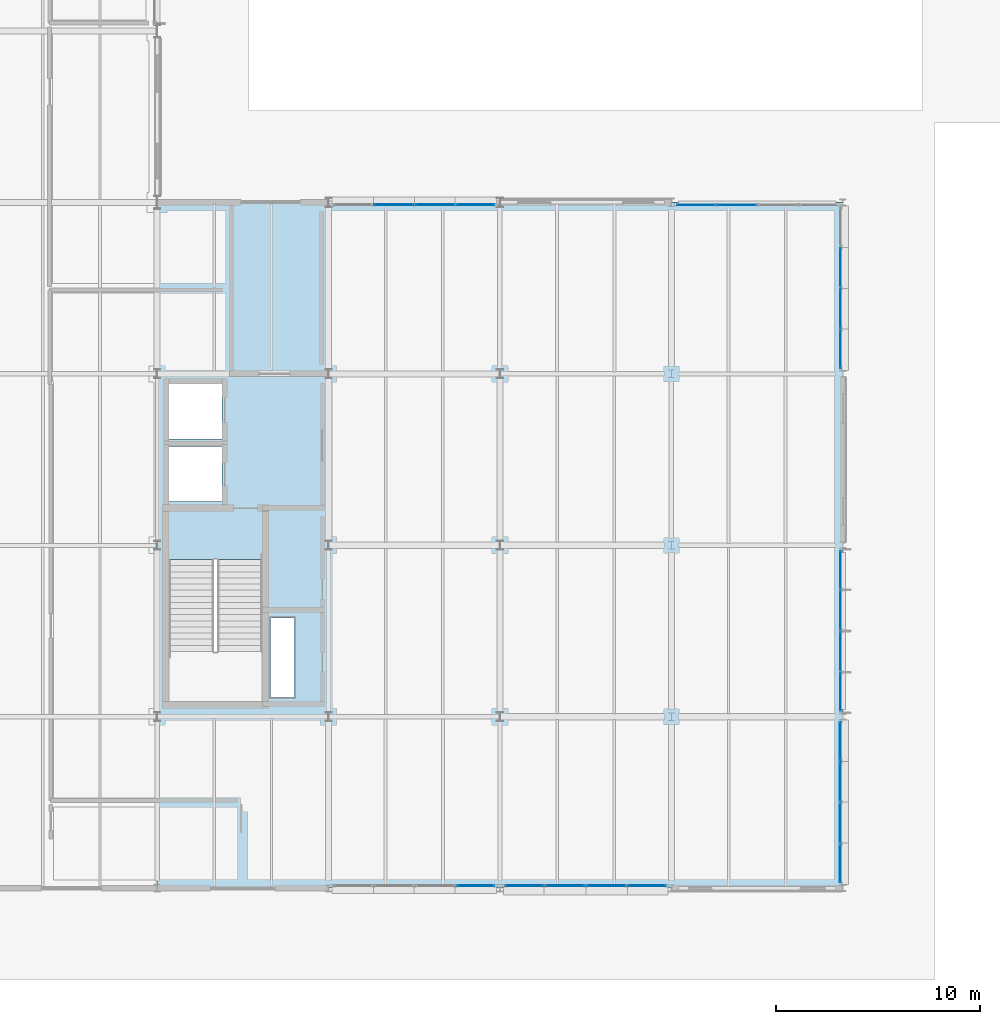
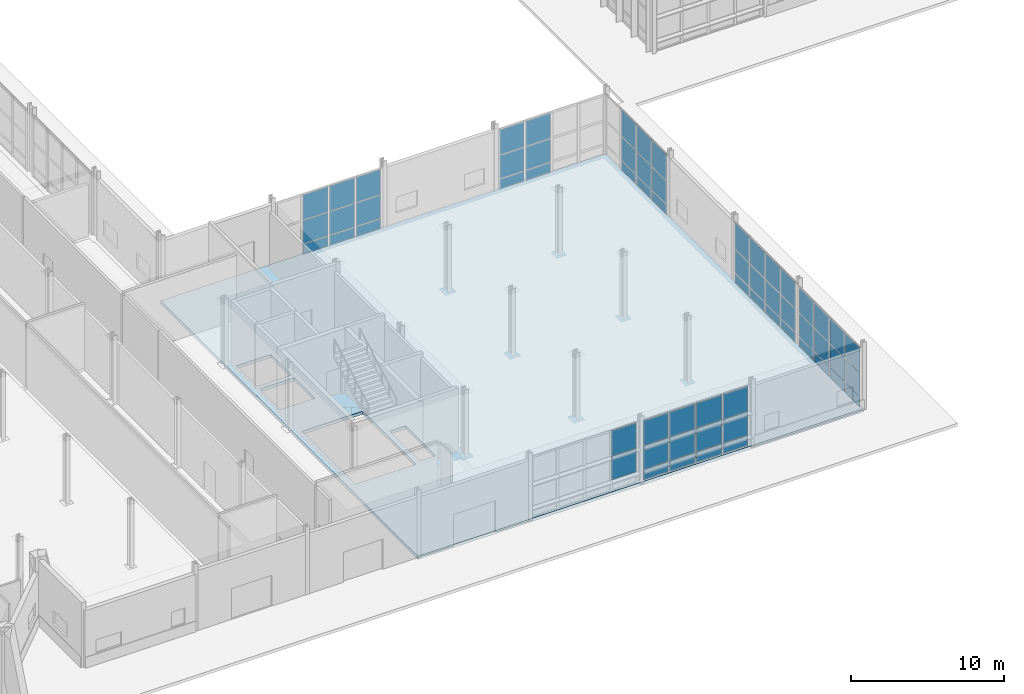
# One storey, part 76 of 124: 62 plates, 1 slab, 7 elements without a shape of their own.
"""IFC4 building model written with IfcOpenShell, lengths in metres."""

import ifcopenshell
import ifcopenshell.guid

model = None  # the IFC model being written
_history = None  # IfcOwnerHistory: only IFC2X3 demands one
_inside = {}  # id of a spatial element -> (the spatial element, [elements in it])
_under = {}  # id of a project, library or spatial element -> (it, [spatial elements below it])
_declared = {}  # id of a project -> (the project, [libraries it declares])
_typed = {}  # id of a type object -> (the type object, [elements of that type])
_made_of = {}  # id of a material, layer set ... -> (it, [elements and type objects made of it])


def new_model(schema):
    """Start an empty IFC model of exactly this schema.

    Asked for "IFC4X3", IfcOpenShell would pick the latest addendum, in which some entities
    have other attributes; the version numbers below select the first issue.
    IFC2X3 requires an IfcOwnerHistory on every rooted entity: one is made here for all.
    """
    global model, _history
    if schema == "IFC4X3":
        model = ifcopenshell.file(schema_version=(4, 3, 0, 0))
    else:
        model = ifcopenshell.file(schema=schema)
    _inside.clear()
    _under.clear()
    _declared.clear()
    _typed.clear()
    _made_of.clear()
    _history = None
    if model.schema == "IFC2X3":
        org = make("IfcOrganization", Name="unknown")
        user = make(
            "IfcPersonAndOrganization",
            ThePerson=make("IfcPerson", FamilyName="unknown"),
            TheOrganization=org,
        )
        app = make(
            "IfcApplication",
            ApplicationDeveloper=org,
            Version="unknown",
            ApplicationFullName="unknown",
            ApplicationIdentifier="unknown",
        )
        _history = make(
            "IfcOwnerHistory",
            OwningUser=user,
            OwningApplication=app,
            ChangeAction="ADDED",
            CreationDate=0,
        )
    return model


def make(cls, **values):
    """One entity of the class cls with the attributes given. An attribute that is None is left unset."""
    return model.create_entity(
        cls, **{name: value for name, value in values.items() if value is not None}
    )


def rooted(cls, **values):
    """An entity with a GlobalId (a new one), such as an element, a storey or a relation."""
    return make(cls, GlobalId=ifcopenshell.guid.new(), OwnerHistory=_history, **values)


def si_unit(unit_type, name, prefix=None):
    """IfcSIUnit, for example si_unit("LENGTHUNIT", "METRE", prefix="MILLI")."""
    return make("IfcSIUnit", UnitType=unit_type, Prefix=prefix, Name=name)


def assignment(units):
    """IfcUnitAssignment: the units of a project."""
    return None if units is None else make("IfcUnitAssignment", Units=units)


def point(xyz):
    """IfcCartesianPoint."""
    return None if xyz is None else make("IfcCartesianPoint", Coordinates=xyz)


def direction(xyz):
    """IfcDirection."""
    return None if xyz is None else make("IfcDirection", DirectionRatios=xyz)


def frame(location, z_axis=None, x_axis=None):
    """IfcAxis2Placement3D, a coordinate frame: its origin and axes. An axis left out is left unset."""
    return make(
        "IfcAxis2Placement3D",
        Location=point(location),
        Axis=direction(z_axis),
        RefDirection=direction(x_axis),
    )


def frame_2d(location, x_axis=None):
    """IfcAxis2Placement2D, a coordinate frame in the plane: its origin and x axis."""
    return make(
        "IfcAxis2Placement2D", Location=point(location), RefDirection=direction(x_axis)
    )


def origin():
    """The frame at (0, 0, 0) with its axes left unset."""
    return frame((0.0, 0.0, 0.0))


def origin_2d():
    """The frame at (0, 0) in the plane with its x axis left unset."""
    return frame_2d((0.0, 0.0))


def place(relative_to, where):
    """IfcLocalPlacement: puts the frame where relative to a parent placement (None: the world)."""
    return make(
        "IfcLocalPlacement", PlacementRelTo=relative_to, RelativePlacement=where
    )


def context(
    kind, dimensions, precision=None, world=None, true_north=None, identifier=None
):
    """IfcGeometricRepresentationContext, for example the 3D "Model" context."""
    return make(
        "IfcGeometricRepresentationContext",
        ContextIdentifier=identifier,
        ContextType=kind,
        CoordinateSpaceDimension=dimensions,
        Precision=precision,
        WorldCoordinateSystem=world,
        TrueNorth=true_north,
    )


def subcontext(parent, identifier, kind, view, scale=None):
    """IfcGeometricRepresentationSubContext, for example "Body" below "Model"."""
    return make(
        "IfcGeometricRepresentationSubContext",
        ContextIdentifier=identifier,
        ContextType=kind,
        ParentContext=parent,
        TargetScale=scale,
        TargetView=view,
    )


def project(units=None, contexts=None):
    """IfcProject with its units and contexts."""
    return rooted(
        "IfcProject",
        Name="project",
        RepresentationContexts=contexts,
        UnitsInContext=assignment(units),
    )


def spatial(cls, under=None, at=None, **own):
    """A site, building, storey or space (cls), placed at a placement, below another one or the project."""
    s = rooted(cls, ObjectPlacement=at, **own)
    if under is not None:
        _under.setdefault(under.id(), (under, []))[1].append(s)
    return s


def polyline(points):
    """IfcPolyline through the points."""
    return make("IfcPolyline", Points=[point(p) for p in points])


def profile(cls, at=None, kind="AREA", **sizes):
    """A parametric profile (cls). Its sizes go by their IFC names, for example OverallWidth=200.0."""
    return make(cls, ProfileType=kind, Position=at, **sizes)


def rectangle(**sizes):
    """IfcRectangleProfileDef."""
    return profile("IfcRectangleProfileDef", **sizes)


def outline(outer, holes=None, kind="AREA"):
    """IfcArbitraryClosedProfileDef: a profile drawn as a closed curve; with holes, ...WithVoids."""
    if holes is None:
        return make("IfcArbitraryClosedProfileDef", ProfileType=kind, OuterCurve=outer)
    return make(
        "IfcArbitraryProfileDefWithVoids",
        ProfileType=kind,
        OuterCurve=outer,
        InnerCurves=holes,
    )


def extrude(swept, where, along, depth):
    """IfcExtrudedAreaSolid: the profile swept, set in the frame where, extruded along a direction by depth."""
    return make(
        "IfcExtrudedAreaSolid",
        SweptArea=swept,
        Position=where,
        ExtrudedDirection=direction(along),
        Depth=depth,
    )


def shape(context_of_items, identifier, shape_type, items):
    """IfcShapeRepresentation: the items that make up one representation, for example the "Body"."""
    return make(
        "IfcShapeRepresentation",
        ContextOfItems=context_of_items,
        RepresentationIdentifier=identifier,
        RepresentationType=shape_type,
        Items=items,
    )


def material(Name=None, Category=None):
    """IfcMaterial."""
    return make("IfcMaterial", Name=Name, Category=Category)


def layer(
    of_material, thickness, ventilated=None, Name=None, Category=None, Priority=None
):
    """IfcMaterialLayer: one layer of a wall or slab, of a material (None: an air gap)."""
    return make(
        "IfcMaterialLayer",
        Material=of_material,
        LayerThickness=thickness,
        IsVentilated=ventilated,
        Name=Name,
        Category=Category,
        Priority=Priority,
    )


def layer_set(layers, Name=None):
    """IfcMaterialLayerSet."""
    return make("IfcMaterialLayerSet", MaterialLayers=layers, LayerSetName=Name)


def made_of(thing, what):
    """Note that an element or type object is made of a material, layer set ...; save() writes the relation."""
    if what is not None:
        _made_of.setdefault(what.id(), (what, []))[1].append(thing)
    return thing


def type_object(cls, material=None, **own):
    """A type object (cls), such as IfcWallType, which elements share."""
    return made_of(rooted(cls, **own), material)


def element(
    cls,
    number,
    at=None,
    inside=None,
    cuts=None,
    type_object=None,
    material=None,
    context=None,
    identifier="Body",
    shape_type=None,
    held_by="IfcProductDefinitionShape",
    body=None,
    shapes=None,
    **own,
):
    """One element of the class cls, such as IfcWall. Its Tag is "e" and its number.

    at: its placement. inside: the storey or other place that contains it. cuts: it is an
    opening in that element (IfcRelVoidsElement). A single representation is given by context,
    identifier, shape_type and body (its items); several are given by shapes. held_by: the class
    of the entity that holds the representations. save() writes the other relations.
    """
    e = rooted(cls, Tag="e%d" % number, ObjectPlacement=at, **own)
    if body is not None:
        shapes = [shape(context, identifier, shape_type, body)]
    if shapes is not None:
        e.Representation = make(held_by, Representations=shapes)
    if inside is not None:
        _inside.setdefault(inside.id(), (inside, []))[1].append(e)
    if cuts is not None:
        rooted(
            "IfcRelVoidsElement", RelatingBuildingElement=cuts, RelatedOpeningElement=e
        )
    if type_object is not None:
        _typed.setdefault(type_object.id(), (type_object, []))[1].append(e)
    return made_of(e, material)


def aggregate(whole, parts):
    """IfcRelAggregates: a whole, such as a stair, and the parts it consists of."""
    return rooted("IfcRelAggregates", RelatingObject=whole, RelatedObjects=parts)


def save(model, path):
    """Write the relations noted so far, then the file.

    IfcRelAggregates (storeys below a building ...), IfcRelContainedInSpatialStructure (elements
    in a storey), IfcRelDefinesByType, IfcRelAssociatesMaterial and IfcRelDeclares: one each for
    every whole, place, type object, material and project.
    """
    for whole, parts in _under.values():
        aggregate(whole, parts)
    for where, things in _inside.values():
        rooted(
            "IfcRelContainedInSpatialStructure",
            RelatedElements=things,
            RelatingStructure=where,
        )
    for kind, things in _typed.values():
        rooted("IfcRelDefinesByType", RelatedObjects=things, RelatingType=kind)
    for what, things in _made_of.values():
        rooted("IfcRelAssociatesMaterial", RelatedObjects=things, RelatingMaterial=what)
    for by, libraries in _declared.values():
        rooted("IfcRelDeclares", RelatingContext=by, RelatedDefinitions=libraries)
    model.write(path)


model = new_model("IFC4")

# Units and contexts
model_context = context("Model", 3, precision=1e-05, world=origin(), true_north=direction((0.0, 1.0)))
body_context = subcontext(model_context, "Body", "Model", "MODEL_VIEW")
ifc_project = project(units=[si_unit("LENGTHUNIT", "METRE"), si_unit("AREAUNIT", "SQUARE_METRE"), si_unit("VOLUMEUNIT", "CUBIC_METRE"), si_unit("PLANEANGLEUNIT", "RADIAN"), si_unit("MASSUNIT", "GRAM", prefix="KILO")], contexts=[model_context])

# Site, building, storey
site_placement = place(None, origin())
site = spatial("IfcSite", under=ifc_project, at=site_placement, CompositionType="ELEMENT")
building_placement = place(site_placement, origin())
building = spatial("IfcBuilding", under=site, at=building_placement, Name="Mersafa Astral City Hall", CompositionType="ELEMENT")
storey_placement = place(building_placement, origin())
storey = spatial("IfcBuildingStorey", under=building, at=storey_placement, Name="L00", CompositionType="ELEMENT", Elevation=0.0)

# Curtain wall, plates
ifc_material_1 = material(Name="Anodised bronze aluminium framing", Category="aluminium")
curtain_wall_type_1 = type_object("IfcCurtainWallType", Name="ENV-CW-5", PredefinedType="USERDEFINED", material=ifc_material_1)
curtain_wall_1_placement = place(storey_placement, origin())
curtain_wall_1 = element("IfcCurtainWall", 1, at=curtain_wall_1_placement, inside=storey, type_object=curtain_wall_type_1, Name="L00 Unitised solar curtain wall 4", ObjectType="UNITISED CURTAIN WALL", PredefinedType="USERDEFINED")
ifc_material_2 = material(Name="Solar control low-e double glazing", Category="glass")
ifc_layer_1 = layer(ifc_material_2, 0.028076171875, Name="Solar control low-e double glazing")
ifc_layer_set_1 = layer_set([ifc_layer_1], Name="Solar control low-e double glazing — ENV-CW-PNL-GLZ-1")
plate_type_1 = type_object("IfcPlateType", Name="ENV-CW-PNL-GLZ-1", PredefinedType="CURTAIN_PANEL", material=ifc_layer_set_1)
plate_1_placement = place(storey_placement, frame((151.080078125, 9.6015625, 0.05810546875), z_axis=(0.0, 0.0, 1.0), x_axis=(0.0, 1.0, 0.0)))
plate_1 = element("IfcPlate", 2, at=plate_1_placement, type_object=plate_type_1, Name="CW-5 panel 1.1", PredefinedType="CURTAIN_PANEL", context=body_context, shape_type="SweptSolid", body=[
    extrude(rectangle(XDim=1.839111328125, YDim=0.028076171875, at=origin_2d()), origin(), (0.0, 0.0, 1.0), 0.761962890625),
])
plate_2_placement = place(storey_placement, frame((151.080078125, 9.6015625, 0.8798828125), z_axis=(0.0, 0.0, 1.0), x_axis=(0.0, 1.0, 0.0)))
plate_2 = element("IfcPlate", 3, at=plate_2_placement, type_object=plate_type_1, Name="CW-5 panel 1.2", PredefinedType="CURTAIN_PANEL", context=body_context, shape_type="SweptSolid", body=[
    extrude(rectangle(XDim=1.839111328125, YDim=0.028076171875, at=origin_2d()), origin(), (0.0, 0.0, 1.0), 1.840087890625),
])
plate_3_placement = place(storey_placement, frame((151.080078125, 9.6015625, 2.780029296875), z_axis=(0.0, 0.0, 1.0), x_axis=(0.0, 1.0, 0.0)))
plate_3 = element("IfcPlate", 4, at=plate_3_placement, type_object=plate_type_1, Name="CW-5 panel 1.3", PredefinedType="CURTAIN_PANEL", context=body_context, shape_type="SweptSolid", body=[
    extrude(rectangle(XDim=1.839111328125, YDim=0.028076171875, at=origin_2d()), origin(), (0.0, 0.0, 1.0), 2.06201171875),
])
plate_4_placement = place(storey_placement, frame((151.080078125, 11.590576171875, 0.05810546875), z_axis=(0.0, 0.0, 1.0), x_axis=(0.0, 1.0, 0.0)))
plate_4 = element("IfcPlate", 5, at=plate_4_placement, type_object=plate_type_1, Name="CW-5 panel 2.1", PredefinedType="CURTAIN_PANEL", context=body_context, shape_type="SweptSolid", body=[
    extrude(rectangle(XDim=1.89892578125, YDim=0.028076171875, at=origin_2d()), origin(), (0.0, 0.0, 1.0), 0.761962890625),
])
plate_5_placement = place(storey_placement, frame((151.080078125, 11.590576171875, 0.8798828125), z_axis=(0.0, 0.0, 1.0), x_axis=(0.0, 1.0, 0.0)))
plate_5 = element("IfcPlate", 6, at=plate_5_placement, type_object=plate_type_1, Name="CW-5 panel 2.2", PredefinedType="CURTAIN_PANEL", context=body_context, shape_type="SweptSolid", body=[
    extrude(rectangle(XDim=1.89892578125, YDim=0.028076171875, at=origin_2d()), origin(), (0.0, 0.0, 1.0), 1.840087890625),
])
plate_6_placement = place(storey_placement, frame((151.080078125, 11.590576171875, 2.780029296875), z_axis=(0.0, 0.0, 1.0), x_axis=(0.0, 1.0, 0.0)))
plate_6 = element("IfcPlate", 7, at=plate_6_placement, type_object=plate_type_1, Name="CW-5 panel 2.3", PredefinedType="CURTAIN_PANEL", context=body_context, shape_type="SweptSolid", body=[
    extrude(rectangle(XDim=1.89892578125, YDim=0.028076171875, at=origin_2d()), origin(), (0.0, 0.0, 1.0), 2.06201171875),
])
plate_7_placement = place(storey_placement, frame((151.080078125, 13.609619140625, 0.05810546875), z_axis=(0.0, 0.0, 1.0), x_axis=(0.0, 1.0, 0.0)))
plate_7 = element("IfcPlate", 8, at=plate_7_placement, type_object=plate_type_1, Name="CW-5 panel 3.1", PredefinedType="CURTAIN_PANEL", context=body_context, shape_type="SweptSolid", body=[
    extrude(rectangle(XDim=1.89892578125, YDim=0.028076171875, at=origin_2d()), origin(), (0.0, 0.0, 1.0), 0.761962890625),
])
plate_8_placement = place(storey_placement, frame((151.080078125, 13.609619140625, 0.8798828125), z_axis=(0.0, 0.0, 1.0), x_axis=(0.0, 1.0, 0.0)))
plate_8 = element("IfcPlate", 9, at=plate_8_placement, type_object=plate_type_1, Name="CW-5 panel 3.2", PredefinedType="CURTAIN_PANEL", context=body_context, shape_type="SweptSolid", body=[
    extrude(rectangle(XDim=1.89892578125, YDim=0.028076171875, at=origin_2d()), origin(), (0.0, 0.0, 1.0), 1.840087890625),
])
plate_9_placement = place(storey_placement, frame((151.080078125, 13.609619140625, 2.780029296875), z_axis=(0.0, 0.0, 1.0), x_axis=(0.0, 1.0, 0.0)))
plate_9 = element("IfcPlate", 10, at=plate_9_placement, type_object=plate_type_1, Name="CW-5 panel 3.3", PredefinedType="CURTAIN_PANEL", context=body_context, shape_type="SweptSolid", body=[
    extrude(rectangle(XDim=1.89892578125, YDim=0.028076171875, at=origin_2d()), origin(), (0.0, 0.0, 1.0), 2.06201171875),
])
plate_10_placement = place(storey_placement, frame((151.080078125, 15.598388671875, 0.05810546875), z_axis=(0.0, 0.0, 1.0), x_axis=(0.0, 1.0, 0.0)))
plate_10 = element("IfcPlate", 11, at=plate_10_placement, type_object=plate_type_1, Name="CW-5 panel 4.1", PredefinedType="CURTAIN_PANEL", context=body_context, shape_type="SweptSolid", body=[
    extrude(rectangle(XDim=1.839111328125, YDim=0.028076171875, at=origin_2d()), origin(), (0.0, 0.0, 1.0), 0.761962890625),
])
plate_11_placement = place(storey_placement, frame((151.080078125, 15.598388671875, 0.8798828125), z_axis=(0.0, 0.0, 1.0), x_axis=(0.0, 1.0, 0.0)))
plate_11 = element("IfcPlate", 12, at=plate_11_placement, type_object=plate_type_1, Name="CW-5 panel 4.2", PredefinedType="CURTAIN_PANEL", context=body_context, shape_type="SweptSolid", body=[
    extrude(rectangle(XDim=1.839111328125, YDim=0.028076171875, at=origin_2d()), origin(), (0.0, 0.0, 1.0), 1.840087890625),
])
plate_12_placement = place(storey_placement, frame((151.080078125, 15.598388671875, 2.780029296875), z_axis=(0.0, 0.0, 1.0), x_axis=(0.0, 1.0, 0.0)))
plate_12 = element("IfcPlate", 13, at=plate_12_placement, type_object=plate_type_1, Name="CW-5 panel 4.3", PredefinedType="CURTAIN_PANEL", context=body_context, shape_type="SweptSolid", body=[
    extrude(rectangle(XDim=1.839111328125, YDim=0.028076171875, at=origin_2d()), origin(), (0.0, 0.0, 1.0), 2.06201171875),
])
aggregate(curtain_wall_1, [plate_1, plate_2, plate_3, plate_4, plate_5, plate_6, plate_7, plate_8, plate_9, plate_10, plate_11, plate_12])

curtain_wall_type_2 = type_object("IfcCurtainWallType", Name="ENV-CW-2", PredefinedType="USERDEFINED", material=ifc_material_1)
curtain_wall_2_placement = place(storey_placement, origin())
curtain_wall_2 = element("IfcCurtainWall", 14, at=curtain_wall_2_placement, inside=storey, type_object=curtain_wall_type_2, Name="L00 Unitised solar curtain wall 1", ObjectType="UNITISED CURTAIN WALL", PredefinedType="USERDEFINED")
ifc_layer_2 = layer(ifc_material_2, 0.031982421875, Name="Solar control low-e double glazing")
ifc_layer_set_2 = layer_set([ifc_layer_2], Name="Solar control low-e double glazing — ENV-CW-PNL-GLZ-2")
plate_type_2 = type_object("IfcPlateType", Name="ENV-CW-PNL-GLZ-2", PredefinedType="CURTAIN_PANEL", material=ifc_layer_set_2)
plate_13_placement = place(storey_placement, frame((133.198486328125, 0.1201171875, 0.8798828125), z_axis=(0.0, 0.0, 1.0), x_axis=(1.0, 0.0, 0.0)))
plate_13 = element("IfcPlate", 15, at=plate_13_placement, type_object=plate_type_2, Name="CW-2 panel 4.2", PredefinedType="CURTAIN_PANEL", context=body_context, shape_type="SweptSolid", body=[
    extrude(rectangle(XDim=1.839111328125, YDim=0.031982421875, at=origin_2d()), origin(), (0.0, 0.0, 1.0), 1.840087890625),
])
plate_14_placement = place(storey_placement, frame((133.198486328125, 0.1201171875, 2.780029296875), z_axis=(0.0, 0.0, 1.0), x_axis=(1.0, 0.0, 0.0)))
plate_14 = element("IfcPlate", 16, at=plate_14_placement, type_object=plate_type_2, Name="CW-2 panel 4.3", PredefinedType="CURTAIN_PANEL", context=body_context, shape_type="SweptSolid", body=[
    extrude(rectangle(XDim=1.839111328125, YDim=0.031982421875, at=origin_2d()), origin(), (0.0, 0.0, 1.0), 2.001953125),
])
aggregate(curtain_wall_2, [plate_13, plate_14])

curtain_wall_type_3 = type_object("IfcCurtainWallType", Name="ENV-CW-6", PredefinedType="USERDEFINED", material=ifc_material_1)
curtain_wall_3_placement = place(storey_placement, origin())
curtain_wall_3 = element("IfcCurtainWall", 17, at=curtain_wall_3_placement, inside=storey, type_object=curtain_wall_type_3, Name="L00 Unitised solar curtain wall 5", ObjectType="UNITISED CURTAIN WALL", PredefinedType="USERDEFINED")
plate_15_placement = place(storey_placement, frame((151.080078125, 26.401611328125, 0.05810546875), z_axis=(0.0, 0.0, 1.0), x_axis=(0.0, 1.0, 0.0)))
plate_15 = element("IfcPlate", 18, at=plate_15_placement, type_object=plate_type_2, Name="CW-6 panel 1.1", PredefinedType="CURTAIN_PANEL", context=body_context, shape_type="SweptSolid", body=[
    extrude(rectangle(XDim=1.839111328125, YDim=0.031982421875, at=origin_2d()), origin(), (0.0, 0.0, 1.0), 0.761962890625),
])
plate_16_placement = place(storey_placement, frame((151.080078125, 26.401611328125, 0.8798828125), z_axis=(0.0, 0.0, 1.0), x_axis=(0.0, 1.0, 0.0)))
plate_16 = element("IfcPlate", 19, at=plate_16_placement, type_object=plate_type_2, Name="CW-6 panel 1.2", PredefinedType="CURTAIN_PANEL", context=body_context, shape_type="SweptSolid", body=[
    extrude(rectangle(XDim=1.839111328125, YDim=0.031982421875, at=origin_2d()), origin(), (0.0, 0.0, 1.0), 1.840087890625),
])
plate_17_placement = place(storey_placement, frame((151.080078125, 26.401611328125, 2.780029296875), z_axis=(0.0, 0.0, 1.0), x_axis=(0.0, 1.0, 0.0)))
plate_17 = element("IfcPlate", 20, at=plate_17_placement, type_object=plate_type_2, Name="CW-6 panel 1.3", PredefinedType="CURTAIN_PANEL", context=body_context, shape_type="SweptSolid", body=[
    extrude(rectangle(XDim=1.839111328125, YDim=0.031982421875, at=origin_2d()), origin(), (0.0, 0.0, 1.0), 2.06201171875),
])
plate_18_placement = place(storey_placement, frame((151.080078125, 28.390380859375, 0.05810546875), z_axis=(0.0, 0.0, 1.0), x_axis=(0.0, 1.0, 0.0)))
plate_18 = element("IfcPlate", 21, at=plate_18_placement, type_object=plate_type_2, Name="CW-6 panel 2.1", PredefinedType="CURTAIN_PANEL", context=body_context, shape_type="SweptSolid", body=[
    extrude(rectangle(XDim=1.89892578125, YDim=0.031982421875, at=origin_2d()), origin(), (0.0, 0.0, 1.0), 0.761962890625),
])
plate_19_placement = place(storey_placement, frame((151.080078125, 28.390380859375, 0.8798828125), z_axis=(0.0, 0.0, 1.0), x_axis=(0.0, 1.0, 0.0)))
plate_19 = element("IfcPlate", 22, at=plate_19_placement, type_object=plate_type_2, Name="CW-6 panel 2.2", PredefinedType="CURTAIN_PANEL", context=body_context, shape_type="SweptSolid", body=[
    extrude(rectangle(XDim=1.89892578125, YDim=0.031982421875, at=origin_2d()), origin(), (0.0, 0.0, 1.0), 1.840087890625),
])
plate_20_placement = place(storey_placement, frame((151.080078125, 28.390380859375, 2.780029296875), z_axis=(0.0, 0.0, 1.0), x_axis=(0.0, 1.0, 0.0)))
plate_20 = element("IfcPlate", 23, at=plate_20_placement, type_object=plate_type_2, Name="CW-6 panel 2.3", PredefinedType="CURTAIN_PANEL", context=body_context, shape_type="SweptSolid", body=[
    extrude(rectangle(XDim=1.89892578125, YDim=0.031982421875, at=origin_2d()), origin(), (0.0, 0.0, 1.0), 2.06201171875),
])
plate_21_placement = place(storey_placement, frame((151.080078125, 30.409423828125, 0.05810546875), z_axis=(0.0, 0.0, 1.0), x_axis=(0.0, 1.0, 0.0)))
plate_21 = element("IfcPlate", 24, at=plate_21_placement, type_object=plate_type_2, Name="CW-6 panel 3.1", PredefinedType="CURTAIN_PANEL", context=body_context, shape_type="SweptSolid", body=[
    extrude(rectangle(XDim=1.89892578125, YDim=0.031982421875, at=origin_2d()), origin(), (0.0, 0.0, 1.0), 0.761962890625),
])
plate_22_placement = place(storey_placement, frame((151.080078125, 30.409423828125, 0.8798828125), z_axis=(0.0, 0.0, 1.0), x_axis=(0.0, 1.0, 0.0)))
plate_22 = element("IfcPlate", 25, at=plate_22_placement, type_object=plate_type_2, Name="CW-6 panel 3.2", PredefinedType="CURTAIN_PANEL", context=body_context, shape_type="SweptSolid", body=[
    extrude(rectangle(XDim=1.89892578125, YDim=0.031982421875, at=origin_2d()), origin(), (0.0, 0.0, 1.0), 1.840087890625),
])
plate_23_placement = place(storey_placement, frame((151.080078125, 30.409423828125, 2.780029296875), z_axis=(0.0, 0.0, 1.0), x_axis=(0.0, 1.0, 0.0)))
plate_23 = element("IfcPlate", 26, at=plate_23_placement, type_object=plate_type_2, Name="CW-6 panel 3.3", PredefinedType="CURTAIN_PANEL", context=body_context, shape_type="SweptSolid", body=[
    extrude(rectangle(XDim=1.89892578125, YDim=0.031982421875, at=origin_2d()), origin(), (0.0, 0.0, 1.0), 2.06201171875),
])
aggregate(curtain_wall_3, [plate_15, plate_16, plate_17, plate_18, plate_19, plate_20, plate_21, plate_22, plate_23])

curtain_wall_type_4 = type_object("IfcCurtainWallType", Name="ENV-CW-3", PredefinedType="USERDEFINED", material=ifc_material_1)
curtain_wall_4_placement = place(storey_placement, origin())
curtain_wall_4 = element("IfcCurtainWall", 27, at=curtain_wall_4_placement, inside=storey, type_object=curtain_wall_type_4, Name="L00 Unitised solar curtain wall 2", ObjectType="UNITISED CURTAIN WALL", PredefinedType="USERDEFINED")
ifc_layer_3 = layer(ifc_material_2, 0.035888671875, Name="Solar control low-e double glazing")
ifc_layer_set_3 = layer_set([ifc_layer_3], Name="Solar control low-e double glazing — ENV-CW-PNL-GLZ-3")
plate_type_3 = type_object("IfcPlateType", Name="ENV-CW-PNL-GLZ-3", PredefinedType="CURTAIN_PANEL", material=ifc_layer_set_3)
plate_24_placement = place(storey_placement, frame((135.6015625, 0.1201171875, 0.05810546875), z_axis=(0.0, 0.0, 1.0), x_axis=(1.0, 0.0, 0.0)))
plate_24 = element("IfcPlate", 28, at=plate_24_placement, type_object=plate_type_3, Name="CW-3 panel 1.1", PredefinedType="CURTAIN_PANEL", context=body_context, shape_type="SweptSolid", body=[
    extrude(rectangle(XDim=1.839111328125, YDim=0.035888671875, at=origin_2d()), origin(), (0.0, 0.0, 1.0), 0.761962890625),
])
plate_25_placement = place(storey_placement, frame((135.6015625, 0.1201171875, 0.8798828125), z_axis=(0.0, 0.0, 1.0), x_axis=(1.0, 0.0, 0.0)))
plate_25 = element("IfcPlate", 29, at=plate_25_placement, type_object=plate_type_3, Name="CW-3 panel 1.2", PredefinedType="CURTAIN_PANEL", context=body_context, shape_type="SweptSolid", body=[
    extrude(rectangle(XDim=1.839111328125, YDim=0.035888671875, at=origin_2d()), origin(), (0.0, 0.0, 1.0), 1.840087890625),
])
plate_26_placement = place(storey_placement, frame((135.6015625, 0.1201171875, 2.7802734375), z_axis=(0.0, 0.0, 1.0), x_axis=(1.0, 0.0, 0.0)))
plate_26 = element("IfcPlate", 30, at=plate_26_placement, type_object=plate_type_3, Name="CW-3 panel 1.3", PredefinedType="CURTAIN_PANEL", context=body_context, shape_type="SweptSolid", body=[
    extrude(rectangle(XDim=1.839111328125, YDim=0.035888671875, at=origin_2d()), origin(), (0.0, 0.0, 1.0), 1.971923828125),
])
plate_27_placement = place(storey_placement, frame((137.590576171875, 0.1201171875, 0.05810546875), z_axis=(0.0, 0.0, 1.0), x_axis=(1.0, 0.0, 0.0)))
plate_27 = element("IfcPlate", 31, at=plate_27_placement, type_object=plate_type_3, Name="CW-3 panel 2.1", PredefinedType="CURTAIN_PANEL", context=body_context, shape_type="SweptSolid", body=[
    extrude(rectangle(XDim=1.89892578125, YDim=0.035888671875, at=origin_2d()), origin(), (0.0, 0.0, 1.0), 0.761962890625),
])
plate_28_placement = place(storey_placement, frame((137.590576171875, 0.1201171875, 0.8798828125), z_axis=(0.0, 0.0, 1.0), x_axis=(1.0, 0.0, 0.0)))
plate_28 = element("IfcPlate", 32, at=plate_28_placement, type_object=plate_type_3, Name="CW-3 panel 2.2", PredefinedType="CURTAIN_PANEL", context=body_context, shape_type="SweptSolid", body=[
    extrude(rectangle(XDim=1.89892578125, YDim=0.035888671875, at=origin_2d()), origin(), (0.0, 0.0, 1.0), 1.840087890625),
])
plate_29_placement = place(storey_placement, frame((137.590576171875, 0.1201171875, 2.7802734375), z_axis=(0.0, 0.0, 1.0), x_axis=(1.0, 0.0, 0.0)))
plate_29 = element("IfcPlate", 33, at=plate_29_placement, type_object=plate_type_3, Name="CW-3 panel 2.3", PredefinedType="CURTAIN_PANEL", context=body_context, shape_type="SweptSolid", body=[
    extrude(rectangle(XDim=1.89892578125, YDim=0.035888671875, at=origin_2d()), origin(), (0.0, 0.0, 1.0), 1.971923828125),
])
plate_30_placement = place(storey_placement, frame((139.609619140625, 0.1201171875, 0.05810546875), z_axis=(0.0, 0.0, 1.0), x_axis=(1.0, 0.0, 0.0)))
plate_30 = element("IfcPlate", 34, at=plate_30_placement, type_object=plate_type_3, Name="CW-3 panel 3.1", PredefinedType="CURTAIN_PANEL", context=body_context, shape_type="SweptSolid", body=[
    extrude(rectangle(XDim=1.89892578125, YDim=0.035888671875, at=origin_2d()), origin(), (0.0, 0.0, 1.0), 0.761962890625),
])
plate_31_placement = place(storey_placement, frame((139.609619140625, 0.1201171875, 0.8798828125), z_axis=(0.0, 0.0, 1.0), x_axis=(1.0, 0.0, 0.0)))
plate_31 = element("IfcPlate", 35, at=plate_31_placement, type_object=plate_type_3, Name="CW-3 panel 3.2", PredefinedType="CURTAIN_PANEL", context=body_context, shape_type="SweptSolid", body=[
    extrude(rectangle(XDim=1.89892578125, YDim=0.035888671875, at=origin_2d()), origin(), (0.0, 0.0, 1.0), 1.840087890625),
])
plate_32_placement = place(storey_placement, frame((139.609619140625, 0.1201171875, 2.7802734375), z_axis=(0.0, 0.0, 1.0), x_axis=(1.0, 0.0, 0.0)))
plate_32 = element("IfcPlate", 36, at=plate_32_placement, type_object=plate_type_3, Name="CW-3 panel 3.3", PredefinedType="CURTAIN_PANEL", context=body_context, shape_type="SweptSolid", body=[
    extrude(rectangle(XDim=1.89892578125, YDim=0.035888671875, at=origin_2d()), origin(), (0.0, 0.0, 1.0), 1.971923828125),
])
plate_33_placement = place(storey_placement, frame((141.598388671875, 0.1201171875, 0.05810546875), z_axis=(0.0, 0.0, 1.0), x_axis=(1.0, 0.0, 0.0)))
plate_33 = element("IfcPlate", 37, at=plate_33_placement, type_object=plate_type_3, Name="CW-3 panel 4.1", PredefinedType="CURTAIN_PANEL", context=body_context, shape_type="SweptSolid", body=[
    extrude(rectangle(XDim=1.839111328125, YDim=0.035888671875, at=origin_2d()), origin(), (0.0, 0.0, 1.0), 0.761962890625),
])
plate_34_placement = place(storey_placement, frame((141.598388671875, 0.1201171875, 0.8798828125), z_axis=(0.0, 0.0, 1.0), x_axis=(1.0, 0.0, 0.0)))
plate_34 = element("IfcPlate", 38, at=plate_34_placement, type_object=plate_type_3, Name="CW-3 panel 4.2", PredefinedType="CURTAIN_PANEL", context=body_context, shape_type="SweptSolid", body=[
    extrude(rectangle(XDim=1.839111328125, YDim=0.035888671875, at=origin_2d()), origin(), (0.0, 0.0, 1.0), 1.840087890625),
])
plate_35_placement = place(storey_placement, frame((141.598388671875, 0.1201171875, 2.7802734375), z_axis=(0.0, 0.0, 1.0), x_axis=(1.0, 0.0, 0.0)))
plate_35 = element("IfcPlate", 39, at=plate_35_placement, type_object=plate_type_3, Name="CW-3 panel 4.3", PredefinedType="CURTAIN_PANEL", context=body_context, shape_type="SweptSolid", body=[
    extrude(rectangle(XDim=1.839111328125, YDim=0.035888671875, at=origin_2d()), origin(), (0.0, 0.0, 1.0), 1.971923828125),
])
aggregate(curtain_wall_4, [plate_24, plate_25, plate_26, plate_27, plate_28, plate_29, plate_30, plate_31, plate_32, plate_33, plate_34, plate_35])

curtain_wall_type_5 = type_object("IfcCurtainWallType", Name="ENV-CW-1", PredefinedType="USERDEFINED", material=ifc_material_1)
curtain_wall_5_placement = place(storey_placement, origin())
curtain_wall_5 = element("IfcCurtainWall", 40, at=curtain_wall_5_placement, inside=storey, type_object=curtain_wall_type_5, Name="L00 Unitised solar curtain wall 6", ObjectType="UNITISED CURTAIN WALL", PredefinedType="USERDEFINED")
plate_36_placement = place(storey_placement, frame((145.990478515625, 33.47998046875, 0.05810546875), z_axis=(0.0, 0.0, 1.0), x_axis=(-1.0, 0.0, 0.0)))
plate_36 = element("IfcPlate", 41, at=plate_36_placement, type_object=plate_type_3, Name="CW-1 panel 3.1", PredefinedType="CURTAIN_PANEL", context=body_context, shape_type="SweptSolid", body=[
    extrude(rectangle(XDim=1.89892578125, YDim=0.035888671875, at=origin_2d()), origin(), (0.0, 0.0, 1.0), 0.761962890625),
])
plate_37_placement = place(storey_placement, frame((145.990478515625, 33.47998046875, 0.8798828125), z_axis=(0.0, 0.0, 1.0), x_axis=(-1.0, 0.0, 0.0)))
plate_37 = element("IfcPlate", 42, at=plate_37_placement, type_object=plate_type_3, Name="CW-1 panel 3.2", PredefinedType="CURTAIN_PANEL", context=body_context, shape_type="SweptSolid", body=[
    extrude(rectangle(XDim=1.89892578125, YDim=0.035888671875, at=origin_2d()), origin(), (0.0, 0.0, 1.0), 1.840087890625),
])
plate_38_placement = place(storey_placement, frame((145.990478515625, 33.47998046875, 2.780029296875), z_axis=(0.0, 0.0, 1.0), x_axis=(-1.0, 0.0, 0.0)))
plate_38 = element("IfcPlate", 43, at=plate_38_placement, type_object=plate_type_3, Name="CW-1 panel 3.3", PredefinedType="CURTAIN_PANEL", context=body_context, shape_type="SweptSolid", body=[
    extrude(rectangle(XDim=1.89892578125, YDim=0.035888671875, at=origin_2d()), origin(), (0.0, 0.0, 1.0), 2.001953125),
])
plate_39_placement = place(storey_placement, frame((144.00146484375, 33.47998046875, 0.05810546875), z_axis=(0.0, 0.0, 1.0), x_axis=(-1.0, 0.0, 0.0)))
plate_39 = element("IfcPlate", 44, at=plate_39_placement, type_object=plate_type_3, Name="CW-1 panel 4.1", PredefinedType="CURTAIN_PANEL", context=body_context, shape_type="SweptSolid", body=[
    extrude(rectangle(XDim=1.839111328125, YDim=0.035888671875, at=origin_2d()), origin(), (0.0, 0.0, 1.0), 0.761962890625),
])
plate_40_placement = place(storey_placement, frame((144.00146484375, 33.47998046875, 0.8798828125), z_axis=(0.0, 0.0, 1.0), x_axis=(-1.0, 0.0, 0.0)))
plate_40 = element("IfcPlate", 45, at=plate_40_placement, type_object=plate_type_3, Name="CW-1 panel 4.2", PredefinedType="CURTAIN_PANEL", context=body_context, shape_type="SweptSolid", body=[
    extrude(rectangle(XDim=1.839111328125, YDim=0.035888671875, at=origin_2d()), origin(), (0.0, 0.0, 1.0), 1.840087890625),
])
plate_41_placement = place(storey_placement, frame((144.00146484375, 33.47998046875, 2.780029296875), z_axis=(0.0, 0.0, 1.0), x_axis=(-1.0, 0.0, 0.0)))
plate_41 = element("IfcPlate", 46, at=plate_41_placement, type_object=plate_type_3, Name="CW-1 panel 4.3", PredefinedType="CURTAIN_PANEL", context=body_context, shape_type="SweptSolid", body=[
    extrude(rectangle(XDim=1.839111328125, YDim=0.035888671875, at=origin_2d()), origin(), (0.0, 0.0, 1.0), 2.001953125),
])
aggregate(curtain_wall_5, [plate_36, plate_37, plate_38, plate_39, plate_40, plate_41])

curtain_wall_type_6 = type_object("IfcCurtainWallType", Name="ENV-CW-4", PredefinedType="USERDEFINED", material=ifc_material_1)
curtain_wall_6_placement = place(storey_placement, origin())
curtain_wall_6 = element("IfcCurtainWall", 47, at=curtain_wall_6_placement, inside=storey, type_object=curtain_wall_type_6, Name="L00 Unitised solar curtain wall 3", ObjectType="UNITISED CURTAIN WALL", PredefinedType="USERDEFINED")
ifc_layer_4 = layer(ifc_material_2, 0.0400390625, Name="Solar control low-e double glazing")
ifc_layer_set_4 = layer_set([ifc_layer_4], Name="Solar control low-e double glazing — ENV-CW-PNL-GLZ-4")
plate_type_4 = type_object("IfcPlateType", Name="ENV-CW-PNL-GLZ-4", PredefinedType="CURTAIN_PANEL", material=ifc_layer_set_4)
plate_42_placement = place(storey_placement, frame((151.080078125, 1.201416015625, 0.05810546875), z_axis=(0.0, 0.0, 1.0), x_axis=(0.0, 1.0, 0.0)))
plate_42 = element("IfcPlate", 48, at=plate_42_placement, type_object=plate_type_4, Name="CW-4 panel 1.1", PredefinedType="CURTAIN_PANEL", context=body_context, shape_type="SweptSolid", body=[
    extrude(rectangle(XDim=1.839111328125, YDim=0.0400390625, at=origin_2d()), origin(), (0.0, 0.0, 1.0), 0.761962890625),
])
plate_43_placement = place(storey_placement, frame((151.080078125, 1.201416015625, 0.8798828125), z_axis=(0.0, 0.0, 1.0), x_axis=(0.0, 1.0, 0.0)))
plate_43 = element("IfcPlate", 49, at=plate_43_placement, type_object=plate_type_4, Name="CW-4 panel 1.2", PredefinedType="CURTAIN_PANEL", context=body_context, shape_type="SweptSolid", body=[
    extrude(rectangle(XDim=1.839111328125, YDim=0.0400390625, at=origin_2d()), origin(), (0.0, 0.0, 1.0), 1.840087890625),
])
plate_44_placement = place(storey_placement, frame((151.080078125, 1.201416015625, 2.7802734375), z_axis=(0.0, 0.0, 1.0), x_axis=(0.0, 1.0, 0.0)))
plate_44 = element("IfcPlate", 50, at=plate_44_placement, type_object=plate_type_4, Name="CW-4 panel 1.3", PredefinedType="CURTAIN_PANEL", context=body_context, shape_type="SweptSolid", body=[
    extrude(rectangle(XDim=1.839111328125, YDim=0.0400390625, at=origin_2d()), origin(), (0.0, 0.0, 1.0), 1.971923828125),
])
plate_45_placement = place(storey_placement, frame((151.080078125, 3.1904296875, 0.05810546875), z_axis=(0.0, 0.0, 1.0), x_axis=(0.0, 1.0, 0.0)))
plate_45 = element("IfcPlate", 51, at=plate_45_placement, type_object=plate_type_4, Name="CW-4 panel 2.1", PredefinedType="CURTAIN_PANEL", context=body_context, shape_type="SweptSolid", body=[
    extrude(rectangle(XDim=1.89892578125, YDim=0.0400390625, at=origin_2d()), origin(), (0.0, 0.0, 1.0), 0.761962890625),
])
plate_46_placement = place(storey_placement, frame((151.080078125, 3.1904296875, 0.8798828125), z_axis=(0.0, 0.0, 1.0), x_axis=(0.0, 1.0, 0.0)))
plate_46 = element("IfcPlate", 52, at=plate_46_placement, type_object=plate_type_4, Name="CW-4 panel 2.2", PredefinedType="CURTAIN_PANEL", context=body_context, shape_type="SweptSolid", body=[
    extrude(rectangle(XDim=1.89892578125, YDim=0.0400390625, at=origin_2d()), origin(), (0.0, 0.0, 1.0), 1.840087890625),
])
plate_47_placement = place(storey_placement, frame((151.080078125, 3.1904296875, 2.7802734375), z_axis=(0.0, 0.0, 1.0), x_axis=(0.0, 1.0, 0.0)))
plate_47 = element("IfcPlate", 53, at=plate_47_placement, type_object=plate_type_4, Name="CW-4 panel 2.3", PredefinedType="CURTAIN_PANEL", context=body_context, shape_type="SweptSolid", body=[
    extrude(rectangle(XDim=1.89892578125, YDim=0.0400390625, at=origin_2d()), origin(), (0.0, 0.0, 1.0), 1.971923828125),
])
plate_48_placement = place(storey_placement, frame((151.080078125, 5.20947265625, 0.05810546875), z_axis=(0.0, 0.0, 1.0), x_axis=(0.0, 1.0, 0.0)))
plate_48 = element("IfcPlate", 54, at=plate_48_placement, type_object=plate_type_4, Name="CW-4 panel 3.1", PredefinedType="CURTAIN_PANEL", context=body_context, shape_type="SweptSolid", body=[
    extrude(rectangle(XDim=1.89892578125, YDim=0.0400390625, at=origin_2d()), origin(), (0.0, 0.0, 1.0), 0.761962890625),
])
plate_49_placement = place(storey_placement, frame((151.080078125, 5.20947265625, 0.8798828125), z_axis=(0.0, 0.0, 1.0), x_axis=(0.0, 1.0, 0.0)))
plate_49 = element("IfcPlate", 55, at=plate_49_placement, type_object=plate_type_4, Name="CW-4 panel 3.2", PredefinedType="CURTAIN_PANEL", context=body_context, shape_type="SweptSolid", body=[
    extrude(rectangle(XDim=1.89892578125, YDim=0.0400390625, at=origin_2d()), origin(), (0.0, 0.0, 1.0), 1.840087890625),
])
plate_50_placement = place(storey_placement, frame((151.080078125, 5.20947265625, 2.7802734375), z_axis=(0.0, 0.0, 1.0), x_axis=(0.0, 1.0, 0.0)))
plate_50 = element("IfcPlate", 56, at=plate_50_placement, type_object=plate_type_4, Name="CW-4 panel 3.3", PredefinedType="CURTAIN_PANEL", context=body_context, shape_type="SweptSolid", body=[
    extrude(rectangle(XDim=1.89892578125, YDim=0.0400390625, at=origin_2d()), origin(), (0.0, 0.0, 1.0), 1.971923828125),
])
plate_51_placement = place(storey_placement, frame((151.080078125, 7.198486328125, 0.05810546875), z_axis=(0.0, 0.0, 1.0), x_axis=(0.0, 1.0, 0.0)))
plate_51 = element("IfcPlate", 57, at=plate_51_placement, type_object=plate_type_4, Name="CW-4 panel 4.1", PredefinedType="CURTAIN_PANEL", context=body_context, shape_type="SweptSolid", body=[
    extrude(rectangle(XDim=1.839111328125, YDim=0.0400390625, at=origin_2d()), origin(), (0.0, 0.0, 1.0), 0.761962890625),
])
plate_52_placement = place(storey_placement, frame((151.080078125, 7.198486328125, 0.8798828125), z_axis=(0.0, 0.0, 1.0), x_axis=(0.0, 1.0, 0.0)))
plate_52 = element("IfcPlate", 58, at=plate_52_placement, type_object=plate_type_4, Name="CW-4 panel 4.2", PredefinedType="CURTAIN_PANEL", context=body_context, shape_type="SweptSolid", body=[
    extrude(rectangle(XDim=1.839111328125, YDim=0.0400390625, at=origin_2d()), origin(), (0.0, 0.0, 1.0), 1.840087890625),
])
plate_53_placement = place(storey_placement, frame((151.080078125, 7.198486328125, 2.7802734375), z_axis=(0.0, 0.0, 1.0), x_axis=(0.0, 1.0, 0.0)))
plate_53 = element("IfcPlate", 59, at=plate_53_placement, type_object=plate_type_4, Name="CW-4 panel 4.3", PredefinedType="CURTAIN_PANEL", context=body_context, shape_type="SweptSolid", body=[
    extrude(rectangle(XDim=1.839111328125, YDim=0.0400390625, at=origin_2d()), origin(), (0.0, 0.0, 1.0), 1.971923828125),
])
aggregate(curtain_wall_6, [plate_42, plate_43, plate_44, plate_45, plate_46, plate_47, plate_48, plate_49, plate_50, plate_51, plate_52, plate_53])

curtain_wall_7_placement = place(storey_placement, origin())
curtain_wall_7 = element("IfcCurtainWall", 60, at=curtain_wall_7_placement, inside=storey, type_object=curtain_wall_type_2, Name="L00 Unitised solar curtain wall 7", ObjectType="UNITISED CURTAIN WALL", PredefinedType="USERDEFINED")
plate_54_placement = place(storey_placement, frame((133.198486328125, 33.47998046875, 0.05810546875), z_axis=(0.0, 0.0, 1.0), x_axis=(-1.0, 0.0, 0.0)))
plate_54 = element("IfcPlate", 61, at=plate_54_placement, type_object=plate_type_4, Name="CW-2 panel 1.1", PredefinedType="CURTAIN_PANEL", context=body_context, shape_type="SweptSolid", body=[
    extrude(rectangle(XDim=1.839111328125, YDim=0.0400390625, at=origin_2d()), origin(), (0.0, 0.0, 1.0), 0.761962890625),
])
plate_55_placement = place(storey_placement, frame((133.198486328125, 33.47998046875, 0.8798828125), z_axis=(0.0, 0.0, 1.0), x_axis=(-1.0, 0.0, 0.0)))
plate_55 = element("IfcPlate", 62, at=plate_55_placement, type_object=plate_type_4, Name="CW-2 panel 1.2", PredefinedType="CURTAIN_PANEL", context=body_context, shape_type="SweptSolid", body=[
    extrude(rectangle(XDim=1.839111328125, YDim=0.0400390625, at=origin_2d()), origin(), (0.0, 0.0, 1.0), 1.840087890625),
])
plate_56_placement = place(storey_placement, frame((133.198486328125, 33.47998046875, 2.780029296875), z_axis=(0.0, 0.0, 1.0), x_axis=(-1.0, 0.0, 0.0)))
plate_56 = element("IfcPlate", 63, at=plate_56_placement, type_object=plate_type_4, Name="CW-2 panel 1.3", PredefinedType="CURTAIN_PANEL", context=body_context, shape_type="SweptSolid", body=[
    extrude(rectangle(XDim=1.839111328125, YDim=0.0400390625, at=origin_2d()), origin(), (0.0, 0.0, 1.0), 2.001953125),
])
plate_57_placement = place(storey_placement, frame((131.20947265625, 33.47998046875, 0.05810546875), z_axis=(0.0, 0.0, 1.0), x_axis=(-1.0, 0.0, 0.0)))
plate_57 = element("IfcPlate", 64, at=plate_57_placement, type_object=plate_type_4, Name="CW-2 panel 2.1", PredefinedType="CURTAIN_PANEL", context=body_context, shape_type="SweptSolid", body=[
    extrude(rectangle(XDim=1.89892578125, YDim=0.0400390625, at=origin_2d()), origin(), (0.0, 0.0, 1.0), 0.761962890625),
])
plate_58_placement = place(storey_placement, frame((131.20947265625, 33.47998046875, 0.8798828125), z_axis=(0.0, 0.0, 1.0), x_axis=(-1.0, 0.0, 0.0)))
plate_58 = element("IfcPlate", 65, at=plate_58_placement, type_object=plate_type_4, Name="CW-2 panel 2.2", PredefinedType="CURTAIN_PANEL", context=body_context, shape_type="SweptSolid", body=[
    extrude(rectangle(XDim=1.89892578125, YDim=0.0400390625, at=origin_2d()), origin(), (0.0, 0.0, 1.0), 1.840087890625),
])
plate_59_placement = place(storey_placement, frame((131.20947265625, 33.47998046875, 2.780029296875), z_axis=(0.0, 0.0, 1.0), x_axis=(-1.0, 0.0, 0.0)))
plate_59 = element("IfcPlate", 66, at=plate_59_placement, type_object=plate_type_4, Name="CW-2 panel 2.3", PredefinedType="CURTAIN_PANEL", context=body_context, shape_type="SweptSolid", body=[
    extrude(rectangle(XDim=1.89892578125, YDim=0.0400390625, at=origin_2d()), origin(), (0.0, 0.0, 1.0), 2.001953125),
])
plate_60_placement = place(storey_placement, frame((129.1904296875, 33.47998046875, 0.05810546875), z_axis=(0.0, 0.0, 1.0), x_axis=(-1.0, 0.0, 0.0)))
plate_60 = element("IfcPlate", 67, at=plate_60_placement, type_object=plate_type_4, Name="CW-2 panel 3.1", PredefinedType="CURTAIN_PANEL", context=body_context, shape_type="SweptSolid", body=[
    extrude(rectangle(XDim=1.89892578125, YDim=0.0400390625, at=origin_2d()), origin(), (0.0, 0.0, 1.0), 0.761962890625),
])
plate_61_placement = place(storey_placement, frame((129.1904296875, 33.47998046875, 0.8798828125), z_axis=(0.0, 0.0, 1.0), x_axis=(-1.0, 0.0, 0.0)))
plate_61 = element("IfcPlate", 68, at=plate_61_placement, type_object=plate_type_4, Name="CW-2 panel 3.2", PredefinedType="CURTAIN_PANEL", context=body_context, shape_type="SweptSolid", body=[
    extrude(rectangle(XDim=1.89892578125, YDim=0.0400390625, at=origin_2d()), origin(), (0.0, 0.0, 1.0), 1.840087890625),
])
plate_62_placement = place(storey_placement, frame((129.1904296875, 33.47998046875, 2.780029296875), z_axis=(0.0, 0.0, 1.0), x_axis=(-1.0, 0.0, 0.0)))
plate_62 = element("IfcPlate", 69, at=plate_62_placement, type_object=plate_type_4, Name="CW-2 panel 3.3", PredefinedType="CURTAIN_PANEL", context=body_context, shape_type="SweptSolid", body=[
    extrude(rectangle(XDim=1.89892578125, YDim=0.0400390625, at=origin_2d()), origin(), (0.0, 0.0, 1.0), 2.001953125),
])
aggregate(curtain_wall_7, [plate_54, plate_55, plate_56, plate_57, plate_58, plate_59, plate_60, plate_61, plate_62])

# Slab
ifc_material_3 = material(Name="Concrete C35/45", Category="concrete")
ifc_layer_5 = layer(ifc_material_3, 0.25, Name="Concrete C35/45")
ifc_layer_set_5 = layer_set([ifc_layer_5], Name="Concrete C35/45 — STR-SLAB-FLR-250")
slab_type = type_object("IfcSlabType", Name="STR-SLAB-FLR-250", PredefinedType="FLOOR", material=ifc_layer_set_5)
slab_placement = place(storey_placement, frame((0.0, 0.0, -0.25)))
element("IfcSlab", 70, at=slab_placement, inside=storey, type_object=slab_type, Name="L00 V3 structural floor slab 1", PredefinedType="FLOOR", context=body_context, shape_type="SweptSolid", body=[
    extrude(outline(polyline([(117.60009765625, 33.60009765625), (126.0, 33.60009765625), (134.39990234375, 33.60009765625), (142.800048828125, 33.60009765625), (151.199951171875, 33.60009765625), (151.199951171875, 25.199951171875), (151.199951171875, 16.800048828125), (151.199951171875, 8.39990234375), (151.199951171875, 0.0), (142.800048828125, 0.0), (134.39990234375, 0.0), (126.0, 0.0), (117.60009765625, 0.0), (117.60009765625, 8.39990234375), (117.60009765625, 16.800048828125), (117.60009765625, 25.199951171875), (117.60009765625, 33.60009765625)]), holes=[polyline([(124.330078125, 13.25), (123.14990234375, 13.25), (123.14990234375, 9.35009765625), (124.330078125, 9.35009765625), (124.330078125, 13.25)]), polyline([(118.179931640625, 9.14990234375), (122.739990234375, 9.14990234375), (122.739990234375, 16.10009765625), (118.179931640625, 16.10009765625), (118.179931640625, 9.14990234375)]), polyline([(120.780029296875, 21.64990234375), (118.179931640625, 21.64990234375), (118.179931640625, 18.949951171875), (120.780029296875, 18.949951171875), (120.780029296875, 21.64990234375)]), polyline([(120.780029296875, 22.0), (120.780029296875, 24.699951171875), (118.179931640625, 24.699951171875), (118.179931640625, 22.0), (120.780029296875, 22.0)])]), origin(), (0.0, 0.0, 1.0), 0.25),
])

save(model, "model.ifc")
